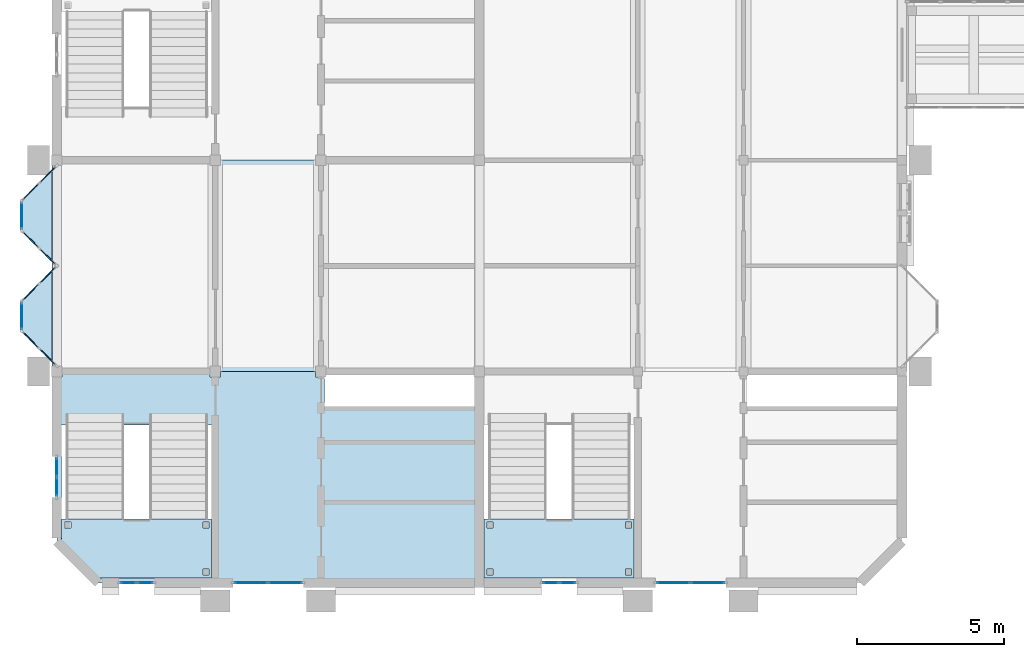
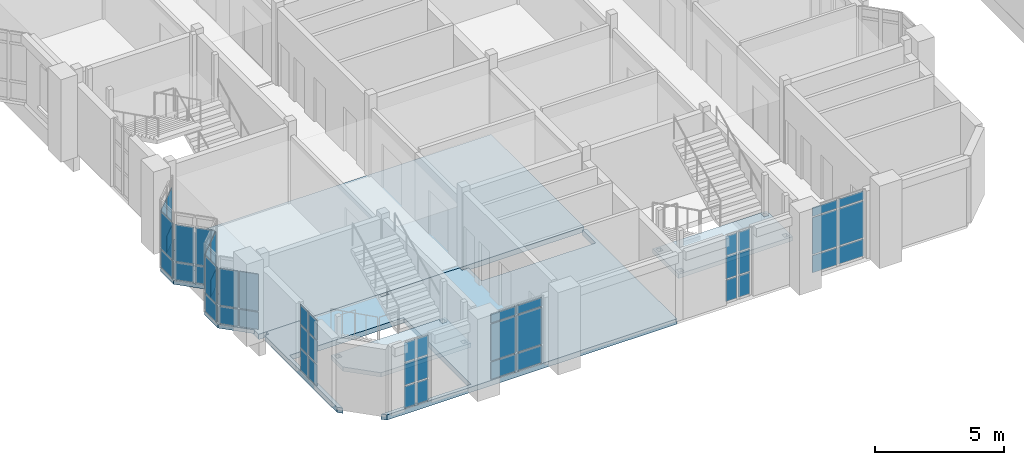
# One storey, part 26 of 69: 50 plates, 6 slabs, 13 elements without a shape of their own.
"""IFC4 building model written with IfcOpenShell, lengths in metres."""

from ifc_helpers import new_model, si_unit, direction, frame, origin, origin_2d, place, context, subcontext, project, spatial, polyline, rectangle, outline, extrude, material, layer, layer_set, type_object, element, aggregate, save


model = new_model("IFC4")

# Units and contexts
model_context = context("Model", 3, precision=1e-05, world=origin(), true_north=direction((0.0, 1.0)))
body_context = subcontext(model_context, "Body", "Model", "MODEL_VIEW")
ifc_project = project(units=[si_unit("LENGTHUNIT", "METRE"), si_unit("AREAUNIT", "SQUARE_METRE"), si_unit("VOLUMEUNIT", "CUBIC_METRE"), si_unit("PLANEANGLEUNIT", "RADIAN"), si_unit("MASSUNIT", "GRAM", prefix="KILO")], contexts=[model_context])

# Site, building, storey
site_placement = place(None, origin())
site = spatial("IfcSite", under=ifc_project, at=site_placement, CompositionType="ELEMENT")
building_placement = place(site_placement, origin())
building = spatial("IfcBuilding", under=site, at=building_placement, Name="Mazhai Court Health Centre", CompositionType="ELEMENT")
storey_placement = place(building_placement, frame((0.0, 0.0, 6.300048828125)))
storey = spatial("IfcBuildingStorey", under=building, at=storey_placement, Name="L01", CompositionType="ELEMENT", Elevation=6.300048828125)

# Curtain wall, plates
ifc_material_1 = material(Name="Teak timber frame, glazed", Category="wood")
ifc_layer_1 = layer(ifc_material_1, 0.10009765625)
ifc_layer_set_1 = layer_set([ifc_layer_1], Name="CURTAIN WALL TIMBER 600")
curtain_wall_type_1 = type_object("IfcCurtainWallType", Name="CURTAIN WALL TIMBER 600", PredefinedType="NOTDEFINED", material=ifc_layer_set_1)
curtain_wall_1_placement = place(storey_placement, origin())
curtain_wall_1 = element("IfcCurtainWall", 1, at=curtain_wall_1_placement, inside=storey, type_object=curtain_wall_type_1, Name="CW-V2-L01-A0", PredefinedType="NOTDEFINED")
ifc_material_2 = material(Name="Glass IGU 28 mm", Category="glass")
ifc_layer_2 = layer(ifc_material_2, 0.028076171875)
ifc_layer_set_2 = layer_set([ifc_layer_2], Name="CW PANEL IGU 28")
plate_type = type_object("IfcPlateType", Name="CW PANEL IGU 28", PredefinedType="CURTAIN_PANEL", material=ifc_layer_set_2)
plate_1_placement = place(storey_placement, frame((6.199951171875, 9.465087890625, 0.06005859375), z_axis=(0.0, 0.0, 1.0), x_axis=(0.0, 1.0, 0.0)))
plate_1 = element("IfcPlate", 2, at=plate_1_placement, type_object=plate_type, Name="CW panel 1.1", PredefinedType="CURTAIN_PANEL", context=body_context, shape_type="SweptSolid", body=[
    extrude(rectangle(XDim=0.610107421875, YDim=0.028076171875, at=origin_2d()), origin(), (0.0, 0.0, 1.0), 1.010009765625),
])
plate_2_placement = place(storey_placement, frame((6.199951171875, 9.465087890625, 1.1298828125), z_axis=(0.0, 0.0, 1.0), x_axis=(0.0, 1.0, 0.0)))
plate_2 = element("IfcPlate", 3, at=plate_2_placement, type_object=plate_type, Name="CW panel 1.2", PredefinedType="CURTAIN_PANEL", context=body_context, shape_type="SweptSolid", body=[
    extrude(rectangle(XDim=0.610107421875, YDim=0.028076171875, at=origin_2d()), origin(), (0.0, 0.0, 1.0), 1.06005859375),
])
plate_3_placement = place(storey_placement, frame((6.199951171875, 9.465087890625, 2.25), z_axis=(0.0, 0.0, 1.0), x_axis=(0.0, 1.0, 0.0)))
plate_3 = element("IfcPlate", 4, at=plate_3_placement, type_object=plate_type, Name="CW panel 1.3", PredefinedType="CURTAIN_PANEL", context=body_context, shape_type="SweptSolid", body=[
    extrude(rectangle(XDim=0.610107421875, YDim=0.028076171875, at=origin_2d()), origin(), (0.0, 0.0, 1.0), 0.909912109375),
])
plate_4_placement = place(storey_placement, frame((6.199951171875, 10.135009765625, 0.06005859375), z_axis=(0.0, 0.0, 1.0), x_axis=(0.0, 1.0, 0.0)))
plate_4 = element("IfcPlate", 5, at=plate_4_placement, type_object=plate_type, Name="CW panel 2.1", PredefinedType="CURTAIN_PANEL", context=body_context, shape_type="SweptSolid", body=[
    extrude(rectangle(XDim=0.610107421875, YDim=0.028076171875, at=origin_2d()), origin(), (0.0, 0.0, 1.0), 1.010009765625),
])
plate_5_placement = place(storey_placement, frame((6.199951171875, 10.135009765625, 1.1298828125), z_axis=(0.0, 0.0, 1.0), x_axis=(0.0, 1.0, 0.0)))
plate_5 = element("IfcPlate", 6, at=plate_5_placement, type_object=plate_type, Name="CW panel 2.2", PredefinedType="CURTAIN_PANEL", context=body_context, shape_type="SweptSolid", body=[
    extrude(rectangle(XDim=0.610107421875, YDim=0.028076171875, at=origin_2d()), origin(), (0.0, 0.0, 1.0), 1.06005859375),
])
plate_6_placement = place(storey_placement, frame((6.199951171875, 10.135009765625, 2.25), z_axis=(0.0, 0.0, 1.0), x_axis=(0.0, 1.0, 0.0)))
plate_6 = element("IfcPlate", 7, at=plate_6_placement, type_object=plate_type, Name="CW panel 2.3", PredefinedType="CURTAIN_PANEL", context=body_context, shape_type="SweptSolid", body=[
    extrude(rectangle(XDim=0.610107421875, YDim=0.028076171875, at=origin_2d()), origin(), (0.0, 0.0, 1.0), 0.909912109375),
])
aggregate(curtain_wall_1, [plate_1, plate_2, plate_3, plate_4, plate_5, plate_6])

ifc_material_3 = material(Name="Teak timber frame, glazed", Category="wood")
ifc_layer_3 = layer(ifc_material_3, 0.10009765625)
ifc_layer_set_3 = layer_set([ifc_layer_3], Name="CURTAIN WALL TIMBER 900")
curtain_wall_type_2 = type_object("IfcCurtainWallType", Name="CURTAIN WALL TIMBER 900", PredefinedType="NOTDEFINED", material=ifc_layer_set_3)
curtain_wall_2_placement = place(storey_placement, origin())
curtain_wall_2 = element("IfcCurtainWall", 8, at=curtain_wall_2_placement, inside=storey, type_object=curtain_wall_type_2, Name="CW-ORIEL-V2-L01-A10-0", PredefinedType="NOTDEFINED")
plate_7_placement = place(storey_placement, frame((5.889404296875, 13.890625, 0.059814453125), z_axis=(0.0, 0.0, 1.0), x_axis=(-0.707106781187, 0.707106781187, 0.0)))
plate_7 = element("IfcPlate", 9, at=plate_7_placement, type_object=plate_type, Name="CW panel 1.1", PredefinedType="CURTAIN_PANEL", context=body_context, shape_type="SweptSolid", body=[
    extrude(rectangle(XDim=0.758544921875, YDim=0.028076171875, at=origin_2d()), origin(), (0.0, 0.0, 1.0), 0.81005859375),
])
plate_8_placement = place(storey_placement, frame((5.889404296875, 13.890625, 0.93017578125), z_axis=(0.0, 0.0, 1.0), x_axis=(-0.707106781187, 0.707106781187, 0.0)))
plate_8 = element("IfcPlate", 10, at=plate_8_placement, type_object=plate_type, Name="CW panel 1.2", PredefinedType="CURTAIN_PANEL", context=body_context, shape_type="SweptSolid", body=[
    extrude(rectangle(XDim=0.758544921875, YDim=0.028076171875, at=origin_2d()), origin(), (0.0, 0.0, 1.0), 1.739990234375),
])
plate_9_placement = place(storey_placement, frame((5.310546875, 14.469482421875, 0.059814453125), z_axis=(0.0, 0.0, 1.0), x_axis=(-0.707106781187, 0.707106781187, 0.0)))
plate_9 = element("IfcPlate", 11, at=plate_9_placement, type_object=plate_type, Name="CW panel 2.1", PredefinedType="CURTAIN_PANEL", context=body_context, shape_type="SweptSolid", body=[
    extrude(rectangle(XDim=0.758544921875, YDim=0.028076171875, at=origin_2d()), origin(), (0.0, 0.0, 1.0), 0.81005859375),
])
plate_10_placement = place(storey_placement, frame((5.310546875, 14.469482421875, 0.93017578125), z_axis=(0.0, 0.0, 1.0), x_axis=(-0.707106781187, 0.707106781187, 0.0)))
plate_10 = element("IfcPlate", 12, at=plate_10_placement, type_object=plate_type, Name="CW panel 2.2", PredefinedType="CURTAIN_PANEL", context=body_context, shape_type="SweptSolid", body=[
    extrude(rectangle(XDim=0.758544921875, YDim=0.028076171875, at=origin_2d()), origin(), (0.0, 0.0, 1.0), 1.739990234375),
])
aggregate(curtain_wall_2, [plate_7, plate_8, plate_9, plate_10])

curtain_wall_3_placement = place(storey_placement, origin())
curtain_wall_3 = element("IfcCurtainWall", 13, at=curtain_wall_3_placement, inside=storey, type_object=curtain_wall_type_2, Name="CW-ORIEL-V2-L01-A10-1", PredefinedType="NOTDEFINED")
plate_11_placement = place(storey_placement, frame((5.0, 15.2900390625, 0.059814453125), z_axis=(0.0, 0.0, 1.0), x_axis=(0.0, 1.0, 0.0)))
plate_11 = element("IfcPlate", 14, at=plate_11_placement, type_object=plate_type, Name="CW panel 1.1", PredefinedType="CURTAIN_PANEL", context=body_context, shape_type="SweptSolid", body=[
    extrude(rectangle(XDim=0.89990234375, YDim=0.028076171875, at=origin_2d()), origin(), (0.0, 0.0, 1.0), 0.81005859375),
])
plate_12_placement = place(storey_placement, frame((5.0, 15.2900390625, 0.93017578125), z_axis=(0.0, 0.0, 1.0), x_axis=(0.0, 1.0, 0.0)))
plate_12 = element("IfcPlate", 15, at=plate_12_placement, type_object=plate_type, Name="CW panel 1.2", PredefinedType="CURTAIN_PANEL", context=body_context, shape_type="SweptSolid", body=[
    extrude(rectangle(XDim=0.89990234375, YDim=0.028076171875, at=origin_2d()), origin(), (0.0, 0.0, 1.0), 1.739990234375),
])
aggregate(curtain_wall_3, [plate_11, plate_12])

curtain_wall_4_placement = place(storey_placement, origin())
curtain_wall_4 = element("IfcCurtainWall", 16, at=curtain_wall_4_placement, inside=storey, type_object=curtain_wall_type_2, Name="CW-ORIEL-V2-L01-A10-2", PredefinedType="NOTDEFINED")
plate_13_placement = place(storey_placement, frame((5.310546875, 16.110595703125, 0.059814453125), z_axis=(0.0, 0.0, 1.0), x_axis=(0.707106781187, 0.707106781187, 0.0)))
plate_13 = element("IfcPlate", 17, at=plate_13_placement, type_object=plate_type, Name="CW panel 1.1", PredefinedType="CURTAIN_PANEL", context=body_context, shape_type="SweptSolid", body=[
    extrude(rectangle(XDim=0.758544921875, YDim=0.028076171875, at=origin_2d()), origin(), (0.0, 0.0, 1.0), 0.81005859375),
])
plate_14_placement = place(storey_placement, frame((5.310546875, 16.110595703125, 0.93017578125), z_axis=(0.0, 0.0, 1.0), x_axis=(0.707106781187, 0.707106781187, 0.0)))
plate_14 = element("IfcPlate", 18, at=plate_14_placement, type_object=plate_type, Name="CW panel 1.2", PredefinedType="CURTAIN_PANEL", context=body_context, shape_type="SweptSolid", body=[
    extrude(rectangle(XDim=0.758544921875, YDim=0.028076171875, at=origin_2d()), origin(), (0.0, 0.0, 1.0), 1.739990234375),
])
plate_15_placement = place(storey_placement, frame((5.889404296875, 16.689453125, 0.059814453125), z_axis=(0.0, 0.0, 1.0), x_axis=(0.707106781187, 0.707106781187, 0.0)))
plate_15 = element("IfcPlate", 19, at=plate_15_placement, type_object=plate_type, Name="CW panel 2.1", PredefinedType="CURTAIN_PANEL", context=body_context, shape_type="SweptSolid", body=[
    extrude(rectangle(XDim=0.758544921875, YDim=0.028076171875, at=origin_2d()), origin(), (0.0, 0.0, 1.0), 0.81005859375),
])
plate_16_placement = place(storey_placement, frame((5.889404296875, 16.689453125, 0.93017578125), z_axis=(0.0, 0.0, 1.0), x_axis=(0.707106781187, 0.707106781187, 0.0)))
plate_16 = element("IfcPlate", 20, at=plate_16_placement, type_object=plate_type, Name="CW panel 2.2", PredefinedType="CURTAIN_PANEL", context=body_context, shape_type="SweptSolid", body=[
    extrude(rectangle(XDim=0.758544921875, YDim=0.028076171875, at=origin_2d()), origin(), (0.0, 0.0, 1.0), 1.739990234375),
])
aggregate(curtain_wall_4, [plate_13, plate_14, plate_15, plate_16])

curtain_wall_5_placement = place(storey_placement, origin())
curtain_wall_5 = element("IfcCurtainWall", 21, at=curtain_wall_5_placement, inside=storey, type_object=curtain_wall_type_2, Name="CW-ORIEL-V2-L01-A11-0", PredefinedType="NOTDEFINED")
plate_17_placement = place(storey_placement, frame((5.889404296875, 17.310546875, 0.059814453125), z_axis=(0.0, 0.0, 1.0), x_axis=(-0.707106781187, 0.707106781187, 0.0)))
plate_17 = element("IfcPlate", 22, at=plate_17_placement, type_object=plate_type, Name="CW panel 1.1", PredefinedType="CURTAIN_PANEL", context=body_context, shape_type="SweptSolid", body=[
    extrude(rectangle(XDim=0.758544921875, YDim=0.028076171875, at=origin_2d()), origin(), (0.0, 0.0, 1.0), 0.81005859375),
])
plate_18_placement = place(storey_placement, frame((5.889404296875, 17.310546875, 0.93017578125), z_axis=(0.0, 0.0, 1.0), x_axis=(-0.707106781187, 0.707106781187, 0.0)))
plate_18 = element("IfcPlate", 23, at=plate_18_placement, type_object=plate_type, Name="CW panel 1.2", PredefinedType="CURTAIN_PANEL", context=body_context, shape_type="SweptSolid", body=[
    extrude(rectangle(XDim=0.758544921875, YDim=0.028076171875, at=origin_2d()), origin(), (0.0, 0.0, 1.0), 1.739990234375),
])
plate_19_placement = place(storey_placement, frame((5.310546875, 17.889404296875, 0.059814453125), z_axis=(0.0, 0.0, 1.0), x_axis=(-0.707106781187, 0.707106781187, 0.0)))
plate_19 = element("IfcPlate", 24, at=plate_19_placement, type_object=plate_type, Name="CW panel 2.1", PredefinedType="CURTAIN_PANEL", context=body_context, shape_type="SweptSolid", body=[
    extrude(rectangle(XDim=0.758544921875, YDim=0.028076171875, at=origin_2d()), origin(), (0.0, 0.0, 1.0), 0.81005859375),
])
plate_20_placement = place(storey_placement, frame((5.310546875, 17.889404296875, 0.93017578125), z_axis=(0.0, 0.0, 1.0), x_axis=(-0.707106781187, 0.707106781187, 0.0)))
plate_20 = element("IfcPlate", 25, at=plate_20_placement, type_object=plate_type, Name="CW panel 2.2", PredefinedType="CURTAIN_PANEL", context=body_context, shape_type="SweptSolid", body=[
    extrude(rectangle(XDim=0.758544921875, YDim=0.028076171875, at=origin_2d()), origin(), (0.0, 0.0, 1.0), 1.739990234375),
])
aggregate(curtain_wall_5, [plate_17, plate_18, plate_19, plate_20])

curtain_wall_6_placement = place(storey_placement, origin())
curtain_wall_6 = element("IfcCurtainWall", 26, at=curtain_wall_6_placement, inside=storey, type_object=curtain_wall_type_2, Name="CW-ORIEL-V2-L01-A11-1", PredefinedType="NOTDEFINED")
plate_21_placement = place(storey_placement, frame((5.0, 18.7099609375, 0.059814453125), z_axis=(0.0, 0.0, 1.0), x_axis=(0.0, 1.0, 0.0)))
plate_21 = element("IfcPlate", 27, at=plate_21_placement, type_object=plate_type, Name="CW panel 1.1", PredefinedType="CURTAIN_PANEL", context=body_context, shape_type="SweptSolid", body=[
    extrude(rectangle(XDim=0.89990234375, YDim=0.028076171875, at=origin_2d()), origin(), (0.0, 0.0, 1.0), 0.81005859375),
])
plate_22_placement = place(storey_placement, frame((5.0, 18.7099609375, 0.93017578125), z_axis=(0.0, 0.0, 1.0), x_axis=(0.0, 1.0, 0.0)))
plate_22 = element("IfcPlate", 28, at=plate_22_placement, type_object=plate_type, Name="CW panel 1.2", PredefinedType="CURTAIN_PANEL", context=body_context, shape_type="SweptSolid", body=[
    extrude(rectangle(XDim=0.89990234375, YDim=0.028076171875, at=origin_2d()), origin(), (0.0, 0.0, 1.0), 1.739990234375),
])
aggregate(curtain_wall_6, [plate_21, plate_22])

curtain_wall_7_placement = place(storey_placement, origin())
curtain_wall_7 = element("IfcCurtainWall", 29, at=curtain_wall_7_placement, inside=storey, type_object=curtain_wall_type_2, Name="CW-ORIEL-V2-L01-A11-2", PredefinedType="NOTDEFINED")
plate_23_placement = place(storey_placement, frame((5.310546875, 19.530517578125, 0.059814453125), z_axis=(0.0, 0.0, 1.0), x_axis=(0.707106781187, 0.707106781187, 0.0)))
plate_23 = element("IfcPlate", 30, at=plate_23_placement, type_object=plate_type, Name="CW panel 1.1", PredefinedType="CURTAIN_PANEL", context=body_context, shape_type="SweptSolid", body=[
    extrude(rectangle(XDim=0.758544921875, YDim=0.028076171875, at=origin_2d()), origin(), (0.0, 0.0, 1.0), 0.81005859375),
])
plate_24_placement = place(storey_placement, frame((5.310546875, 19.530517578125, 0.93017578125), z_axis=(0.0, 0.0, 1.0), x_axis=(0.707106781187, 0.707106781187, 0.0)))
plate_24 = element("IfcPlate", 31, at=plate_24_placement, type_object=plate_type, Name="CW panel 1.2", PredefinedType="CURTAIN_PANEL", context=body_context, shape_type="SweptSolid", body=[
    extrude(rectangle(XDim=0.758544921875, YDim=0.028076171875, at=origin_2d()), origin(), (0.0, 0.0, 1.0), 1.739990234375),
])
plate_25_placement = place(storey_placement, frame((5.889404296875, 20.109375, 0.059814453125), z_axis=(0.0, 0.0, 1.0), x_axis=(0.707106781187, 0.707106781187, 0.0)))
plate_25 = element("IfcPlate", 32, at=plate_25_placement, type_object=plate_type, Name="CW panel 2.1", PredefinedType="CURTAIN_PANEL", context=body_context, shape_type="SweptSolid", body=[
    extrude(rectangle(XDim=0.758544921875, YDim=0.028076171875, at=origin_2d()), origin(), (0.0, 0.0, 1.0), 0.81005859375),
])
plate_26_placement = place(storey_placement, frame((5.889404296875, 20.109375, 0.93017578125), z_axis=(0.0, 0.0, 1.0), x_axis=(0.707106781187, 0.707106781187, 0.0)))
plate_26 = element("IfcPlate", 33, at=plate_26_placement, type_object=plate_type, Name="CW panel 2.2", PredefinedType="CURTAIN_PANEL", context=body_context, shape_type="SweptSolid", body=[
    extrude(rectangle(XDim=0.758544921875, YDim=0.028076171875, at=origin_2d()), origin(), (0.0, 0.0, 1.0), 1.739990234375),
])
aggregate(curtain_wall_7, [plate_23, plate_24, plate_25, plate_26])

curtain_wall_8_placement = place(storey_placement, origin())
curtain_wall_8 = element("IfcCurtainWall", 34, at=curtain_wall_8_placement, inside=storey, type_object=curtain_wall_type_1, Name="CW-V2-L01-SSTAIR0", PredefinedType="NOTDEFINED")
plate_27_placement = place(storey_placement, frame((9.205078125, 6.199951171875, 0.06005859375), z_axis=(0.0, 0.0, 1.0), x_axis=(-1.0, 0.0, 0.0)))
plate_27 = element("IfcPlate", 35, at=plate_27_placement, type_object=plate_type, Name="CW panel 1.1", PredefinedType="CURTAIN_PANEL", context=body_context, shape_type="SweptSolid", body=[
    extrude(rectangle(XDim=0.510009765625, YDim=0.028076171875, at=origin_2d()), origin(), (0.0, 0.0, 1.0), 1.010009765625),
])
plate_28_placement = place(storey_placement, frame((9.205078125, 6.199951171875, 1.1298828125), z_axis=(0.0, 0.0, 1.0), x_axis=(-1.0, 0.0, 0.0)))
plate_28 = element("IfcPlate", 36, at=plate_28_placement, type_object=plate_type, Name="CW panel 1.2", PredefinedType="CURTAIN_PANEL", context=body_context, shape_type="SweptSolid", body=[
    extrude(rectangle(XDim=0.510009765625, YDim=0.028076171875, at=origin_2d()), origin(), (0.0, 0.0, 1.0), 1.0400390625),
])
plate_29_placement = place(storey_placement, frame((9.205078125, 6.199951171875, 2.22998046875), z_axis=(0.0, 0.0, 1.0), x_axis=(-1.0, 0.0, 0.0)))
plate_29 = element("IfcPlate", 37, at=plate_29_placement, type_object=plate_type, Name="CW panel 1.3", PredefinedType="CURTAIN_PANEL", context=body_context, shape_type="SweptSolid", body=[
    extrude(rectangle(XDim=0.510009765625, YDim=0.028076171875, at=origin_2d()), origin(), (0.0, 0.0, 1.0), 0.909912109375),
])
plate_30_placement = place(storey_placement, frame((8.635009765625, 6.199951171875, 0.06005859375), z_axis=(0.0, 0.0, 1.0), x_axis=(-1.0, 0.0, 0.0)))
plate_30 = element("IfcPlate", 38, at=plate_30_placement, type_object=plate_type, Name="CW panel 2.1", PredefinedType="CURTAIN_PANEL", context=body_context, shape_type="SweptSolid", body=[
    extrude(rectangle(XDim=0.510009765625, YDim=0.028076171875, at=origin_2d()), origin(), (0.0, 0.0, 1.0), 1.010009765625),
])
plate_31_placement = place(storey_placement, frame((8.635009765625, 6.199951171875, 1.1298828125), z_axis=(0.0, 0.0, 1.0), x_axis=(-1.0, 0.0, 0.0)))
plate_31 = element("IfcPlate", 39, at=plate_31_placement, type_object=plate_type, Name="CW panel 2.2", PredefinedType="CURTAIN_PANEL", context=body_context, shape_type="SweptSolid", body=[
    extrude(rectangle(XDim=0.510009765625, YDim=0.028076171875, at=origin_2d()), origin(), (0.0, 0.0, 1.0), 1.0400390625),
])
plate_32_placement = place(storey_placement, frame((8.635009765625, 6.199951171875, 2.22998046875), z_axis=(0.0, 0.0, 1.0), x_axis=(-1.0, 0.0, 0.0)))
plate_32 = element("IfcPlate", 40, at=plate_32_placement, type_object=plate_type, Name="CW panel 2.3", PredefinedType="CURTAIN_PANEL", context=body_context, shape_type="SweptSolid", body=[
    extrude(rectangle(XDim=0.510009765625, YDim=0.028076171875, at=origin_2d()), origin(), (0.0, 0.0, 1.0), 0.909912109375),
])
aggregate(curtain_wall_8, [plate_27, plate_28, plate_29, plate_30, plate_31, plate_32])

ifc_material_4 = material(Name="Teak timber frame, glazed", Category="wood")
ifc_layer_4 = layer(ifc_material_4, 0.10009765625)
ifc_layer_set_4 = layer_set([ifc_layer_4], Name="CURTAIN WALL TIMBER 1200")
curtain_wall_type_3 = type_object("IfcCurtainWallType", Name="CURTAIN WALL TIMBER 1200", PredefinedType="NOTDEFINED", material=ifc_layer_set_4)
curtain_wall_9_placement = place(storey_placement, origin())
curtain_wall_9 = element("IfcCurtainWall", 41, at=curtain_wall_9_placement, inside=storey, type_object=curtain_wall_type_3, Name="CW-V2-L01-SEND1", PredefinedType="NOTDEFINED")
plate_33_placement = place(storey_placement, frame((13.985107421875, 6.199951171875, 0.059814453125), z_axis=(0.0, 0.0, 1.0), x_axis=(-1.0, 0.0, 0.0)))
plate_33 = element("IfcPlate", 42, at=plate_33_placement, type_object=plate_type, Name="CW panel 1.1", PredefinedType="CURTAIN_PANEL", context=body_context, shape_type="SweptSolid", body=[
    extrude(rectangle(XDim=1.110107421875, YDim=0.028076171875, at=origin_2d()), origin(), (0.0, 0.0, 1.0), 0.81005859375),
])
plate_34_placement = place(storey_placement, frame((13.985107421875, 6.199951171875, 0.93017578125), z_axis=(0.0, 0.0, 1.0), x_axis=(-1.0, 0.0, 0.0)))
plate_34 = element("IfcPlate", 43, at=plate_34_placement, type_object=plate_type, Name="CW panel 1.2", PredefinedType="CURTAIN_PANEL", context=body_context, shape_type="SweptSolid", body=[
    extrude(rectangle(XDim=1.110107421875, YDim=0.028076171875, at=origin_2d()), origin(), (0.0, 0.0, 1.0), 1.739990234375),
])
plate_35_placement = place(storey_placement, frame((13.985107421875, 6.199951171875, 2.72998046875), z_axis=(0.0, 0.0, 1.0), x_axis=(-1.0, 0.0, 0.0)))
plate_35 = element("IfcPlate", 44, at=plate_35_placement, type_object=plate_type, Name="CW panel 1.3", PredefinedType="CURTAIN_PANEL", context=body_context, shape_type="SweptSolid", body=[
    extrude(rectangle(XDim=1.110107421875, YDim=0.028076171875, at=origin_2d()), origin(), (0.0, 0.0, 1.0), 0.409912109375),
])
plate_36_placement = place(storey_placement, frame((12.81494140625, 6.199951171875, 0.059814453125), z_axis=(0.0, 0.0, 1.0), x_axis=(-1.0, 0.0, 0.0)))
plate_36 = element("IfcPlate", 45, at=plate_36_placement, type_object=plate_type, Name="CW panel 2.1", PredefinedType="CURTAIN_PANEL", context=body_context, shape_type="SweptSolid", body=[
    extrude(rectangle(XDim=1.110107421875, YDim=0.028076171875, at=origin_2d()), origin(), (0.0, 0.0, 1.0), 0.81005859375),
])
plate_37_placement = place(storey_placement, frame((12.81494140625, 6.199951171875, 0.93017578125), z_axis=(0.0, 0.0, 1.0), x_axis=(-1.0, 0.0, 0.0)))
plate_37 = element("IfcPlate", 46, at=plate_37_placement, type_object=plate_type, Name="CW panel 2.2", PredefinedType="CURTAIN_PANEL", context=body_context, shape_type="SweptSolid", body=[
    extrude(rectangle(XDim=1.110107421875, YDim=0.028076171875, at=origin_2d()), origin(), (0.0, 0.0, 1.0), 1.739990234375),
])
plate_38_placement = place(storey_placement, frame((12.81494140625, 6.199951171875, 2.72998046875), z_axis=(0.0, 0.0, 1.0), x_axis=(-1.0, 0.0, 0.0)))
plate_38 = element("IfcPlate", 47, at=plate_38_placement, type_object=plate_type, Name="CW panel 2.3", PredefinedType="CURTAIN_PANEL", context=body_context, shape_type="SweptSolid", body=[
    extrude(rectangle(XDim=1.110107421875, YDim=0.028076171875, at=origin_2d()), origin(), (0.0, 0.0, 1.0), 0.409912109375),
])
aggregate(curtain_wall_9, [plate_33, plate_34, plate_35, plate_36, plate_37, plate_38])

curtain_wall_10_placement = place(storey_placement, origin())
curtain_wall_10 = element("IfcCurtainWall", 48, at=curtain_wall_10_placement, inside=storey, type_object=curtain_wall_type_1, Name="CW-V5-L01-SSTAIR0", PredefinedType="NOTDEFINED")
plate_39_placement = place(storey_placement, frame((23.60498046875, 6.199951171875, 0.06005859375), z_axis=(0.0, 0.0, 1.0), x_axis=(-1.0, 0.0, 0.0)))
plate_39 = element("IfcPlate", 49, at=plate_39_placement, type_object=plate_type, Name="CW panel 1.1", PredefinedType="CURTAIN_PANEL", context=body_context, shape_type="SweptSolid", body=[
    extrude(rectangle(XDim=0.510009765625, YDim=0.028076171875, at=origin_2d()), origin(), (0.0, 0.0, 1.0), 1.010009765625),
])
plate_40_placement = place(storey_placement, frame((23.60498046875, 6.199951171875, 1.1298828125), z_axis=(0.0, 0.0, 1.0), x_axis=(-1.0, 0.0, 0.0)))
plate_40 = element("IfcPlate", 50, at=plate_40_placement, type_object=plate_type, Name="CW panel 1.2", PredefinedType="CURTAIN_PANEL", context=body_context, shape_type="SweptSolid", body=[
    extrude(rectangle(XDim=0.510009765625, YDim=0.028076171875, at=origin_2d()), origin(), (0.0, 0.0, 1.0), 1.0400390625),
])
plate_41_placement = place(storey_placement, frame((23.60498046875, 6.199951171875, 2.22998046875), z_axis=(0.0, 0.0, 1.0), x_axis=(-1.0, 0.0, 0.0)))
plate_41 = element("IfcPlate", 51, at=plate_41_placement, type_object=plate_type, Name="CW panel 1.3", PredefinedType="CURTAIN_PANEL", context=body_context, shape_type="SweptSolid", body=[
    extrude(rectangle(XDim=0.510009765625, YDim=0.028076171875, at=origin_2d()), origin(), (0.0, 0.0, 1.0), 0.909912109375),
])
plate_42_placement = place(storey_placement, frame((23.034912109375, 6.199951171875, 0.06005859375), z_axis=(0.0, 0.0, 1.0), x_axis=(-1.0, 0.0, 0.0)))
plate_42 = element("IfcPlate", 52, at=plate_42_placement, type_object=plate_type, Name="CW panel 2.1", PredefinedType="CURTAIN_PANEL", context=body_context, shape_type="SweptSolid", body=[
    extrude(rectangle(XDim=0.510009765625, YDim=0.028076171875, at=origin_2d()), origin(), (0.0, 0.0, 1.0), 1.010009765625),
])
plate_43_placement = place(storey_placement, frame((23.034912109375, 6.199951171875, 1.1298828125), z_axis=(0.0, 0.0, 1.0), x_axis=(-1.0, 0.0, 0.0)))
plate_43 = element("IfcPlate", 53, at=plate_43_placement, type_object=plate_type, Name="CW panel 2.2", PredefinedType="CURTAIN_PANEL", context=body_context, shape_type="SweptSolid", body=[
    extrude(rectangle(XDim=0.510009765625, YDim=0.028076171875, at=origin_2d()), origin(), (0.0, 0.0, 1.0), 1.0400390625),
])
plate_44_placement = place(storey_placement, frame((23.034912109375, 6.199951171875, 2.22998046875), z_axis=(0.0, 0.0, 1.0), x_axis=(-1.0, 0.0, 0.0)))
plate_44 = element("IfcPlate", 54, at=plate_44_placement, type_object=plate_type, Name="CW panel 2.3", PredefinedType="CURTAIN_PANEL", context=body_context, shape_type="SweptSolid", body=[
    extrude(rectangle(XDim=0.510009765625, YDim=0.028076171875, at=origin_2d()), origin(), (0.0, 0.0, 1.0), 0.909912109375),
])
aggregate(curtain_wall_10, [plate_39, plate_40, plate_41, plate_42, plate_43, plate_44])

curtain_wall_11_placement = place(storey_placement, origin())
curtain_wall_11 = element("IfcCurtainWall", 55, at=curtain_wall_11_placement, inside=storey, type_object=curtain_wall_type_3, Name="CW-V5-L01-SEND1", PredefinedType="NOTDEFINED")
plate_45_placement = place(storey_placement, frame((28.385009765625, 6.199951171875, 0.059814453125), z_axis=(0.0, 0.0, 1.0), x_axis=(-1.0, 0.0, 0.0)))
plate_45 = element("IfcPlate", 56, at=plate_45_placement, type_object=plate_type, Name="CW panel 1.1", PredefinedType="CURTAIN_PANEL", context=body_context, shape_type="SweptSolid", body=[
    extrude(rectangle(XDim=1.110107421875, YDim=0.028076171875, at=origin_2d()), origin(), (0.0, 0.0, 1.0), 0.81005859375),
])
plate_46_placement = place(storey_placement, frame((28.385009765625, 6.199951171875, 0.93017578125), z_axis=(0.0, 0.0, 1.0), x_axis=(-1.0, 0.0, 0.0)))
plate_46 = element("IfcPlate", 57, at=plate_46_placement, type_object=plate_type, Name="CW panel 1.2", PredefinedType="CURTAIN_PANEL", context=body_context, shape_type="SweptSolid", body=[
    extrude(rectangle(XDim=1.110107421875, YDim=0.028076171875, at=origin_2d()), origin(), (0.0, 0.0, 1.0), 1.739990234375),
])
plate_47_placement = place(storey_placement, frame((28.385009765625, 6.199951171875, 2.72998046875), z_axis=(0.0, 0.0, 1.0), x_axis=(-1.0, 0.0, 0.0)))
plate_47 = element("IfcPlate", 58, at=plate_47_placement, type_object=plate_type, Name="CW panel 1.3", PredefinedType="CURTAIN_PANEL", context=body_context, shape_type="SweptSolid", body=[
    extrude(rectangle(XDim=1.110107421875, YDim=0.028076171875, at=origin_2d()), origin(), (0.0, 0.0, 1.0), 0.409912109375),
])
plate_48_placement = place(storey_placement, frame((27.215087890625, 6.199951171875, 0.059814453125), z_axis=(0.0, 0.0, 1.0), x_axis=(-1.0, 0.0, 0.0)))
plate_48 = element("IfcPlate", 59, at=plate_48_placement, type_object=plate_type, Name="CW panel 2.1", PredefinedType="CURTAIN_PANEL", context=body_context, shape_type="SweptSolid", body=[
    extrude(rectangle(XDim=1.110107421875, YDim=0.028076171875, at=origin_2d()), origin(), (0.0, 0.0, 1.0), 0.81005859375),
])
plate_49_placement = place(storey_placement, frame((27.215087890625, 6.199951171875, 0.93017578125), z_axis=(0.0, 0.0, 1.0), x_axis=(-1.0, 0.0, 0.0)))
plate_49 = element("IfcPlate", 60, at=plate_49_placement, type_object=plate_type, Name="CW panel 2.2", PredefinedType="CURTAIN_PANEL", context=body_context, shape_type="SweptSolid", body=[
    extrude(rectangle(XDim=1.110107421875, YDim=0.028076171875, at=origin_2d()), origin(), (0.0, 0.0, 1.0), 1.739990234375),
])
plate_50_placement = place(storey_placement, frame((27.215087890625, 6.199951171875, 2.72998046875), z_axis=(0.0, 0.0, 1.0), x_axis=(-1.0, 0.0, 0.0)))
plate_50 = element("IfcPlate", 61, at=plate_50_placement, type_object=plate_type, Name="CW panel 2.3", PredefinedType="CURTAIN_PANEL", context=body_context, shape_type="SweptSolid", body=[
    extrude(rectangle(XDim=1.110107421875, YDim=0.028076171875, at=origin_2d()), origin(), (0.0, 0.0, 1.0), 0.409912109375),
])
aggregate(curtain_wall_11, [plate_45, plate_46, plate_47, plate_48, plate_49, plate_50])

# Slabs
ifc_material_5 = material(Name="CLT C24 5-ply", Category="wood")
ifc_layer_5 = layer(ifc_material_5, 0.179931640625)
ifc_layer_set_5 = layer_set([ifc_layer_5], Name="ORIEL FLOOR 180")
slab_type_1 = type_object("IfcSlabType", Name="ORIEL FLOOR 180", PredefinedType="FLOOR", material=ifc_layer_set_5)
slab_1_placement = place(storey_placement, frame((0.0, 0.0, -0.179931640625)))
element("IfcSlab", 62, at=slab_1_placement, inside=storey, type_object=slab_type_1, Name="OF-V2-L01-A10", PredefinedType="FLOOR", context=body_context, shape_type="SweptSolid", body=[
    extrude(outline(polyline([(5.0, 14.780029296875), (5.0, 15.800048828125), (6.034912109375, 16.8349609375), (6.034912109375, 13.7451171875), (5.0, 14.780029296875)])), origin(), (0.0, 0.0, 1.0), 0.179931640625),
])
slab_2_placement = place(storey_placement, frame((0.0, 0.0, -0.179931640625)))
element("IfcSlab", 63, at=slab_2_placement, inside=storey, type_object=slab_type_1, Name="OF-V2-L01-A11", PredefinedType="FLOOR", context=body_context, shape_type="SweptSolid", body=[
    extrude(outline(polyline([(5.0, 18.199951171875), (5.0, 19.219970703125), (6.034912109375, 20.2548828125), (6.034912109375, 17.1650390625), (5.0, 18.199951171875)])), origin(), (0.0, 0.0, 1.0), 0.179931640625),
])
ifc_material_6 = material(Name="Concrete M40", Category="concrete")
ifc_layer_6 = layer(ifc_material_6, 0.25)
ifc_layer_set_6 = layer_set([ifc_layer_6], Name="PODIUM SLAB 250 M40")
slab_type_2 = type_object("IfcSlabType", Name="PODIUM SLAB 250 M40", PredefinedType="FLOOR", material=ifc_layer_set_6)
slab_3_placement = place(storey_placement, frame((0.0, 0.0, -0.25)))
element("IfcSlab", 64, at=slab_3_placement, inside=storey, type_object=slab_type_2, Name="slab-podium-V2-1", PredefinedType="FLOOR", context=body_context, shape_type="SweptSolid", body=[
    extrude(outline(polyline([(20.60009765625, 13.39990234375), (20.60009765625, 20.60009765625), (6.034912109375, 20.60009765625), (6.034912109375, 13.39990234375), (20.60009765625, 13.39990234375)])), origin(), (0.0, 0.0, 1.0), 0.25),
])
ifc_material_7 = material(Name="Concrete M40", Category="concrete")
ifc_layer_7 = layer(ifc_material_7, 0.25)
ifc_layer_set_7 = layer_set([ifc_layer_7], Name="RC CORE FLOOR 250 M40")
slab_type_3 = type_object("IfcSlabType", Name="RC CORE FLOOR 250 M40", PredefinedType="FLOOR", material=ifc_layer_set_7)
slab_4_placement = place(storey_placement, frame((0.0, 0.0, -0.25)))
element("IfcSlab", 65, at=slab_4_placement, inside=storey, type_object=slab_type_3, Name="core-C1-floor-L01", PredefinedType="FLOOR", context=body_context, shape_type="SweptSolid", body=[
    extrude(outline(polyline([(6.3798828125, 13.39990234375), (11.419921875, 13.39990234375), (11.419921875, 13.219970703125), (11.780029296875, 13.219970703125), (11.780029296875, 13.39990234375), (15.02001953125, 13.39990234375), (15.02001953125, 13.219970703125), (15.324951171875, 13.219970703125), (15.324951171875, 12.215087890625), (20.43505859375, 12.215087890625), (20.43505859375, 13.219970703125), (20.60009765625, 13.219970703125), (20.60009765625, 6.199951171875), (7.6142578125, 6.199951171875), (7.44921875, 6.364990234375), (11.47509765625, 6.364990234375), (11.47509765625, 11.573486328125), (6.364990234375, 11.573486328125), (6.364990234375, 7.44921875), (6.199951171875, 7.6142578125), (6.199951171875, 13.219970703125), (6.3798828125, 13.219970703125), (6.3798828125, 13.39990234375)])), origin(), (0.0, 0.0, 1.0), 0.25),
])

# Stair, slab
ifc_material_8 = material(Name="Concrete M40", Category="concrete")
stair_type = type_object("IfcStairType", Name="RC STAIR 2000 26R", PredefinedType="DOUBLE_RETURN_STAIR", material=ifc_material_8)
stair_1_placement = place(storey_placement, origin())
stair_1 = element("IfcStair", 66, at=stair_1_placement, inside=storey, type_object=stair_type, Name="L01 Stair 1", PredefinedType="HALF_TURN_STAIR")
ifc_material_9 = material(Name="Concrete M40", Category="concrete")
ifc_layer_8 = layer(ifc_material_9, 0.199951171875)
ifc_layer_set_8 = layer_set([ifc_layer_8], Name="RC STAIR LANDING 200 M40")
slab_type_4 = type_object("IfcSlabType", Name="RC STAIR LANDING 200 M40", PredefinedType="LANDING", material=ifc_layer_set_8)
slab_5_placement = place(storey_placement, frame((0.0, 0.0, 1.75)))
slab_5 = element("IfcSlab", 67, at=slab_5_placement, type_object=slab_type_4, Name="ST1 landing 1", PredefinedType="LANDING", context=body_context, shape_type="SweptSolid", body=[
    extrude(outline(polyline([(6.364990234375, 8.364990234375), (11.47509765625, 8.364990234375), (11.47509765625, 6.364990234375), (7.44921875, 6.364990234375), (6.364990234375, 7.44921875), (6.364990234375, 8.364990234375)]), holes=[polyline([(11.175048828125, 6.465087890625), (11.385009765625, 6.465087890625), (11.385009765625, 6.675048828125), (11.175048828125, 6.675048828125), (11.175048828125, 6.465087890625)]), polyline([(6.465087890625, 8.06494140625), (6.675048828125, 8.06494140625), (6.675048828125, 8.27490234375), (6.465087890625, 8.27490234375), (6.465087890625, 8.06494140625)]), polyline([(11.175048828125, 8.06494140625), (11.385009765625, 8.06494140625), (11.385009765625, 8.27490234375), (11.175048828125, 8.27490234375), (11.175048828125, 8.06494140625)])]), origin(), (0.0, 0.0, 1.0), 0.199951171875),
])
aggregate(stair_1, [slab_5])

stair_2_placement = place(storey_placement, origin())
stair_2 = element("IfcStair", 68, at=stair_2_placement, inside=storey, type_object=stair_type, Name="L01 Stair 4", PredefinedType="HALF_TURN_STAIR")
slab_6_placement = place(storey_placement, frame((0.0, 0.0, 1.75)))
slab_6 = element("IfcSlab", 69, at=slab_6_placement, type_object=slab_type_4, Name="ST4 landing 1", PredefinedType="LANDING", context=body_context, shape_type="SweptSolid", body=[
    extrude(outline(polyline([(20.764892578125, 8.364990234375), (20.764892578125, 6.364990234375), (25.875, 6.364990234375), (25.875, 8.364990234375), (20.764892578125, 8.364990234375)]), holes=[polyline([(20.85498046875, 6.465087890625), (21.06494140625, 6.465087890625), (21.06494140625, 6.675048828125), (20.85498046875, 6.675048828125), (20.85498046875, 6.465087890625)]), polyline([(25.574951171875, 6.465087890625), (25.784912109375, 6.465087890625), (25.784912109375, 6.675048828125), (25.574951171875, 6.675048828125), (25.574951171875, 6.465087890625)]), polyline([(20.85498046875, 8.06494140625), (21.06494140625, 8.06494140625), (21.06494140625, 8.27490234375), (20.85498046875, 8.27490234375), (20.85498046875, 8.06494140625)]), polyline([(25.574951171875, 8.06494140625), (25.784912109375, 8.06494140625), (25.784912109375, 8.27490234375), (25.574951171875, 8.27490234375), (25.574951171875, 8.06494140625)])]), origin(), (0.0, 0.0, 1.0), 0.199951171875),
])
aggregate(stair_2, [slab_6])

save(model, "model.ifc")
